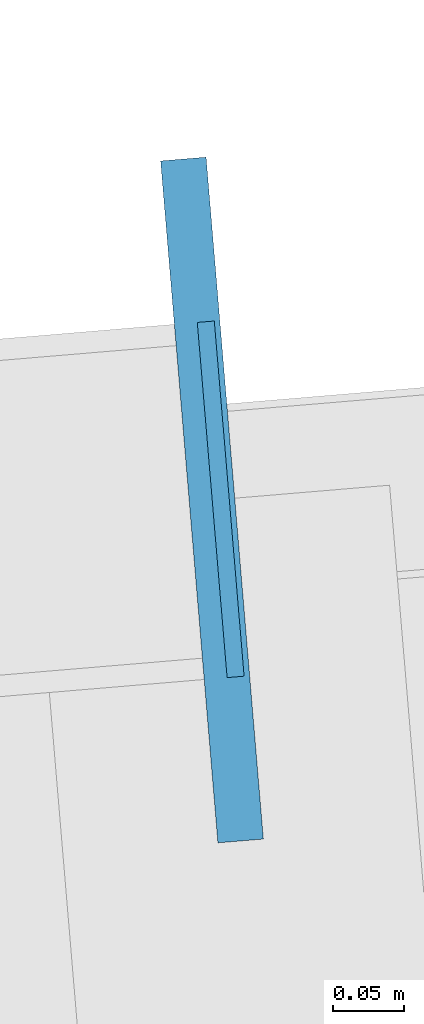
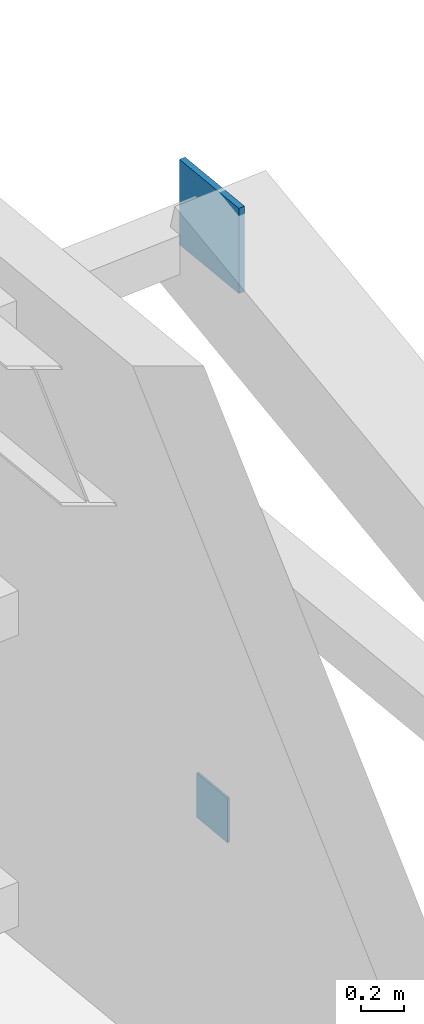
# One storey, part 22 of 26: 2 plates.
"""IFC4 building model written with IfcOpenShell, lengths in metres."""

from ifc_helpers import new_model, si_unit, direction, frame, origin, origin_2d, place, context, subcontext, project, spatial, rectangle, extrude, source, transform, mapped, material, layer, layer_set, type_object, element, save


model = new_model("IFC4")

# Units and contexts
model_context = context("Model", 3, precision=1e-05, world=origin(), true_north=direction((0.0, 1.0)))
body_context = subcontext(model_context, "Body", "Model", "MODEL_VIEW")
ifc_project = project(units=[si_unit("LENGTHUNIT", "METRE"), si_unit("AREAUNIT", "SQUARE_METRE"), si_unit("VOLUMEUNIT", "CUBIC_METRE"), si_unit("PLANEANGLEUNIT", "RADIAN"), si_unit("MASSUNIT", "GRAM", prefix="KILO")], contexts=[model_context])

# Site, building, storey
site_placement = place(None, origin())
site = spatial("IfcSite", under=ifc_project, at=site_placement, CompositionType="ELEMENT")
building_placement = place(site_placement, origin())
building = spatial("IfcBuilding", under=site, at=building_placement, Name="Taldren Reach Tower", CompositionType="ELEMENT")
storey_placement = place(building_placement, frame((0.0, 0.0, 207.199951171875)))
storey = spatial("IfcBuildingStorey", under=building, at=storey_placement, Name="L63", CompositionType="ELEMENT", Elevation=207.199951171875)

# Plates
ifc_material_1 = material(Name="Steel Gr 350 (C350L0)", Category="steel")
ifc_layer_1 = layer(ifc_material_1, 0.011962890625)
ifc_layer_set_1 = layer_set([ifc_layer_1], Name="Steel Gr 350 (C350L0)")
plate_type_1 = type_object("IfcPlateType", Name="PL-CAP-250", PredefinedType="SHEET", material=ifc_layer_set_1)
shared_shape_1 = source(origin(), body_context, "Body", "SweptSolid", [
    extrude(rectangle(XDim=0.011962890625, YDim=0.25, at=origin_2d()), origin(), (0.0, 0.0, 1.0), 0.25),
])
plate_1_placement = place(storey_placement, frame((61.14697265625, 33.76220703125, 0.094970703125), z_axis=(0.0, 0.0, 1.0), x_axis=(0.99649285925, 0.083677843332, 0.0)))
element("IfcPlate", 1, at=plate_1_placement, inside=storey, type_object=plate_type_1, Name="Tie strut end cap plate B4-E3 L63", PredefinedType="SHEET", context=body_context, shape_type="MappedRepresentation", body=[
    mapped(shared_shape_1, transform((0.0, 0.0, 0.0), scale=1.0)),
])
ifc_material_2 = material(Name="Steel Gr 450 (C450L0)", Category="steel")
ifc_layer_2 = layer(ifc_material_2, 0.031982421875)
ifc_layer_set_2 = layer_set([ifc_layer_2], Name="Steel Gr 450 (C450L0)")
plate_type_2 = type_object("IfcPlateType", Name="PL-GUSSET-32", PredefinedType="SHEET", material=ifc_layer_set_2)
shared_shape_2 = source(origin(), body_context, "Body", "SweptSolid", [
    extrude(rectangle(XDim=0.47998046875, YDim=0.031982421875, at=origin_2d()), origin(), (0.0, 0.0, 1.0), 0.47998046875),
])
plate_2_placement = place(storey_placement, frame((61.140869140625, 33.76171875, 3.260009765625), z_axis=(0.0, 0.0, 1.0), x_axis=(-0.083677843332, 0.99649285925, 0.0)))
element("IfcPlate", 2, at=plate_2_placement, inside=storey, type_object=plate_type_2, Name="Exoskeleton star-node gusset plate B4-E3 L63", PredefinedType="SHEET", context=body_context, shape_type="MappedRepresentation", body=[
    mapped(shared_shape_2, transform((0.0, 0.0, 0.0), scale=1.0)),
])

save(model, "model.ifc")
